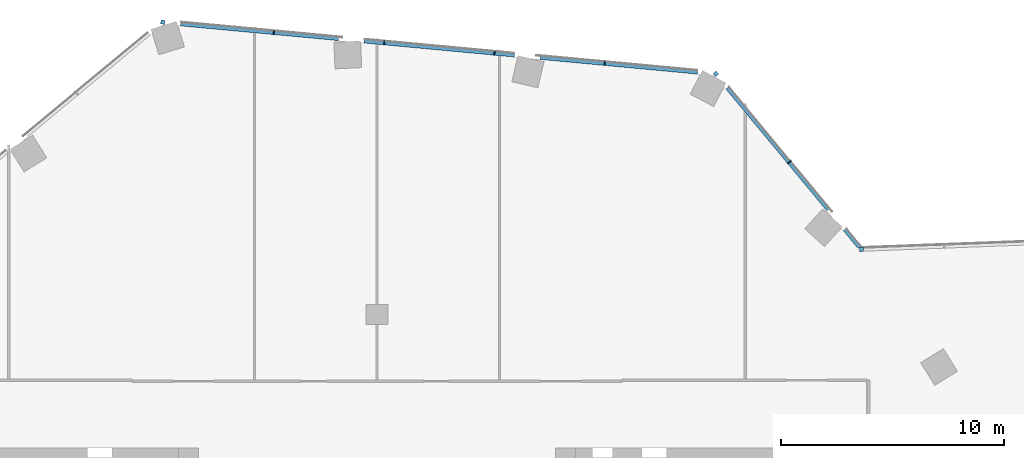
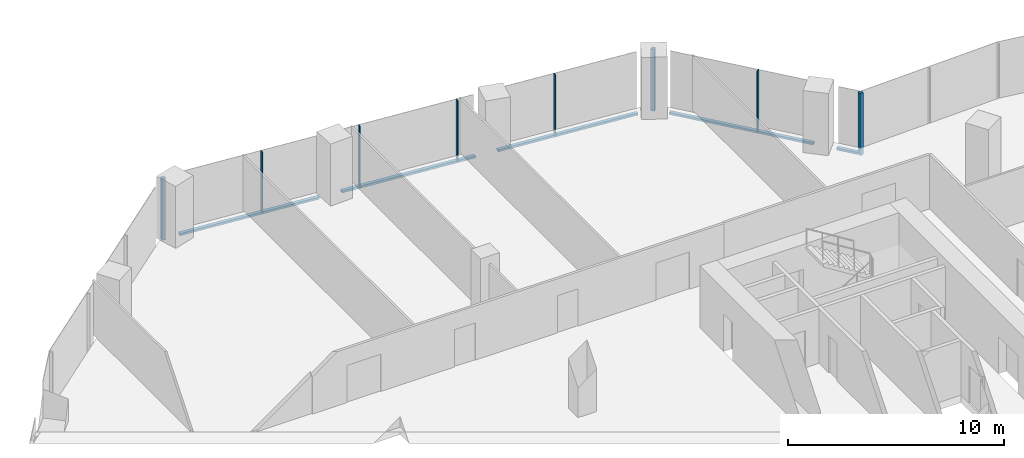
# One storey, part 11 of 24: 13 members, 3 elements without a shape of their own.
"""IFC4 building model written with IfcOpenShell, lengths in metres."""

import ifcopenshell
import ifcopenshell.guid

model = None  # the IFC model being written
_history = None  # IfcOwnerHistory: only IFC2X3 demands one
_inside = {}  # id of a spatial element -> (the spatial element, [elements in it])
_under = {}  # id of a project, library or spatial element -> (it, [spatial elements below it])
_declared = {}  # id of a project -> (the project, [libraries it declares])
_typed = {}  # id of a type object -> (the type object, [elements of that type])
_made_of = {}  # id of a material, layer set ... -> (it, [elements and type objects made of it])


def new_model(schema):
    """Start an empty IFC model of exactly this schema.

    Asked for "IFC4X3", IfcOpenShell would pick the latest addendum, in which some entities
    have other attributes; the version numbers below select the first issue.
    IFC2X3 requires an IfcOwnerHistory on every rooted entity: one is made here for all.
    """
    global model, _history
    if schema == "IFC4X3":
        model = ifcopenshell.file(schema_version=(4, 3, 0, 0))
    else:
        model = ifcopenshell.file(schema=schema)
    _inside.clear()
    _under.clear()
    _declared.clear()
    _typed.clear()
    _made_of.clear()
    _history = None
    if model.schema == "IFC2X3":
        org = make("IfcOrganization", Name="unknown")
        user = make(
            "IfcPersonAndOrganization",
            ThePerson=make("IfcPerson", FamilyName="unknown"),
            TheOrganization=org,
        )
        app = make(
            "IfcApplication",
            ApplicationDeveloper=org,
            Version="unknown",
            ApplicationFullName="unknown",
            ApplicationIdentifier="unknown",
        )
        _history = make(
            "IfcOwnerHistory",
            OwningUser=user,
            OwningApplication=app,
            ChangeAction="ADDED",
            CreationDate=0,
        )
    return model


def make(cls, **values):
    """One entity of the class cls with the attributes given. An attribute that is None is left unset."""
    return model.create_entity(
        cls, **{name: value for name, value in values.items() if value is not None}
    )


def rooted(cls, **values):
    """An entity with a GlobalId (a new one), such as an element, a storey or a relation."""
    return make(cls, GlobalId=ifcopenshell.guid.new(), OwnerHistory=_history, **values)


def si_unit(unit_type, name, prefix=None):
    """IfcSIUnit, for example si_unit("LENGTHUNIT", "METRE", prefix="MILLI")."""
    return make("IfcSIUnit", UnitType=unit_type, Prefix=prefix, Name=name)


def assignment(units):
    """IfcUnitAssignment: the units of a project."""
    return None if units is None else make("IfcUnitAssignment", Units=units)


def point(xyz):
    """IfcCartesianPoint."""
    return None if xyz is None else make("IfcCartesianPoint", Coordinates=xyz)


def direction(xyz):
    """IfcDirection."""
    return None if xyz is None else make("IfcDirection", DirectionRatios=xyz)


def frame(location, z_axis=None, x_axis=None):
    """IfcAxis2Placement3D, a coordinate frame: its origin and axes. An axis left out is left unset."""
    return make(
        "IfcAxis2Placement3D",
        Location=point(location),
        Axis=direction(z_axis),
        RefDirection=direction(x_axis),
    )


def frame_2d(location, x_axis=None):
    """IfcAxis2Placement2D, a coordinate frame in the plane: its origin and x axis."""
    return make(
        "IfcAxis2Placement2D", Location=point(location), RefDirection=direction(x_axis)
    )


def origin():
    """The frame at (0, 0, 0) with its axes left unset."""
    return frame((0.0, 0.0, 0.0))


def origin_2d():
    """The frame at (0, 0) in the plane with its x axis left unset."""
    return frame_2d((0.0, 0.0))


def place(relative_to, where):
    """IfcLocalPlacement: puts the frame where relative to a parent placement (None: the world)."""
    return make(
        "IfcLocalPlacement", PlacementRelTo=relative_to, RelativePlacement=where
    )


def context(
    kind, dimensions, precision=None, world=None, true_north=None, identifier=None
):
    """IfcGeometricRepresentationContext, for example the 3D "Model" context."""
    return make(
        "IfcGeometricRepresentationContext",
        ContextIdentifier=identifier,
        ContextType=kind,
        CoordinateSpaceDimension=dimensions,
        Precision=precision,
        WorldCoordinateSystem=world,
        TrueNorth=true_north,
    )


def subcontext(parent, identifier, kind, view, scale=None):
    """IfcGeometricRepresentationSubContext, for example "Body" below "Model"."""
    return make(
        "IfcGeometricRepresentationSubContext",
        ContextIdentifier=identifier,
        ContextType=kind,
        ParentContext=parent,
        TargetScale=scale,
        TargetView=view,
    )


def project(units=None, contexts=None):
    """IfcProject with its units and contexts."""
    return rooted(
        "IfcProject",
        Name="project",
        RepresentationContexts=contexts,
        UnitsInContext=assignment(units),
    )


def spatial(cls, under=None, at=None, **own):
    """A site, building, storey or space (cls), placed at a placement, below another one or the project."""
    s = rooted(cls, ObjectPlacement=at, **own)
    if under is not None:
        _under.setdefault(under.id(), (under, []))[1].append(s)
    return s


def profile(cls, at=None, kind="AREA", **sizes):
    """A parametric profile (cls). Its sizes go by their IFC names, for example OverallWidth=200.0."""
    return make(cls, ProfileType=kind, Position=at, **sizes)


def rectangle(**sizes):
    """IfcRectangleProfileDef."""
    return profile("IfcRectangleProfileDef", **sizes)


def extrude(swept, where, along, depth):
    """IfcExtrudedAreaSolid: the profile swept, set in the frame where, extruded along a direction by depth."""
    return make(
        "IfcExtrudedAreaSolid",
        SweptArea=swept,
        Position=where,
        ExtrudedDirection=direction(along),
        Depth=depth,
    )


def shape(context_of_items, identifier, shape_type, items):
    """IfcShapeRepresentation: the items that make up one representation, for example the "Body"."""
    return make(
        "IfcShapeRepresentation",
        ContextOfItems=context_of_items,
        RepresentationIdentifier=identifier,
        RepresentationType=shape_type,
        Items=items,
    )


def material(Name=None, Category=None):
    """IfcMaterial."""
    return make("IfcMaterial", Name=Name, Category=Category)


def material_profile(
    of_material, cross_section, Name=None, Category=None, Priority=None
):
    """IfcMaterialProfile: a cross section and its material."""
    return make(
        "IfcMaterialProfile",
        Name=Name,
        Material=of_material,
        Profile=cross_section,
        Priority=Priority,
        Category=Category,
    )


def profile_set(profiles, Name=None, composite=None):
    """IfcMaterialProfileSet."""
    return make(
        "IfcMaterialProfileSet",
        Name=Name,
        MaterialProfiles=profiles,
        CompositeProfile=composite,
    )


def made_of(thing, what):
    """Note that an element or type object is made of a material, layer set ...; save() writes the relation."""
    if what is not None:
        _made_of.setdefault(what.id(), (what, []))[1].append(thing)
    return thing


def type_object(cls, material=None, **own):
    """A type object (cls), such as IfcWallType, which elements share."""
    return made_of(rooted(cls, **own), material)


def element(
    cls,
    number,
    at=None,
    inside=None,
    cuts=None,
    type_object=None,
    material=None,
    context=None,
    identifier="Body",
    shape_type=None,
    held_by="IfcProductDefinitionShape",
    body=None,
    shapes=None,
    **own,
):
    """One element of the class cls, such as IfcWall. Its Tag is "e" and its number.

    at: its placement. inside: the storey or other place that contains it. cuts: it is an
    opening in that element (IfcRelVoidsElement). A single representation is given by context,
    identifier, shape_type and body (its items); several are given by shapes. held_by: the class
    of the entity that holds the representations. save() writes the other relations.
    """
    e = rooted(cls, Tag="e%d" % number, ObjectPlacement=at, **own)
    if body is not None:
        shapes = [shape(context, identifier, shape_type, body)]
    if shapes is not None:
        e.Representation = make(held_by, Representations=shapes)
    if inside is not None:
        _inside.setdefault(inside.id(), (inside, []))[1].append(e)
    if cuts is not None:
        rooted(
            "IfcRelVoidsElement", RelatingBuildingElement=cuts, RelatedOpeningElement=e
        )
    if type_object is not None:
        _typed.setdefault(type_object.id(), (type_object, []))[1].append(e)
    return made_of(e, material)


def aggregate(whole, parts):
    """IfcRelAggregates: a whole, such as a stair, and the parts it consists of."""
    return rooted("IfcRelAggregates", RelatingObject=whole, RelatedObjects=parts)


def save(model, path):
    """Write the relations noted so far, then the file.

    IfcRelAggregates (storeys below a building ...), IfcRelContainedInSpatialStructure (elements
    in a storey), IfcRelDefinesByType, IfcRelAssociatesMaterial and IfcRelDeclares: one each for
    every whole, place, type object, material and project.
    """
    for whole, parts in _under.values():
        aggregate(whole, parts)
    for where, things in _inside.values():
        rooted(
            "IfcRelContainedInSpatialStructure",
            RelatedElements=things,
            RelatingStructure=where,
        )
    for kind, things in _typed.values():
        rooted("IfcRelDefinesByType", RelatedObjects=things, RelatingType=kind)
    for what, things in _made_of.values():
        rooted("IfcRelAssociatesMaterial", RelatedObjects=things, RelatingMaterial=what)
    for by, libraries in _declared.values():
        rooted("IfcRelDeclares", RelatingContext=by, RelatedDefinitions=libraries)
    model.write(path)


model = new_model("IFC4")

# Units and contexts
model_context = context("Model", 3, precision=1e-05, world=origin(), true_north=direction((0.0, 1.0)))
body_context = subcontext(model_context, "Body", "Model", "MODEL_VIEW")
ifc_project = project(units=[si_unit("LENGTHUNIT", "METRE"), si_unit("AREAUNIT", "SQUARE_METRE"), si_unit("VOLUMEUNIT", "CUBIC_METRE"), si_unit("PLANEANGLEUNIT", "RADIAN"), si_unit("MASSUNIT", "GRAM", prefix="KILO")], contexts=[model_context])

# Site, building, storey
site_placement = place(None, origin())
site = spatial("IfcSite", under=ifc_project, at=site_placement, CompositionType="ELEMENT")
building_placement = place(site_placement, origin())
building = spatial("IfcBuilding", under=site, at=building_placement, Name="Orlundy Tower", CompositionType="ELEMENT")
storey_placement = place(building_placement, frame((0.0, 0.0, 177.60009765625)))
storey = spatial("IfcBuildingStorey", under=building, at=storey_placement, Name="L46", CompositionType="ELEMENT", Elevation=177.60009765625)

# Curtain wall, member
ifc_material_1 = material(Name="Aluminium bronze anodised", Category="aluminium")
curtain_wall_type = type_object("IfcCurtainWallType", Name="CW1 wall", PredefinedType="NOTDEFINED", material=ifc_material_1)
curtain_wall_1_placement = place(storey_placement, origin())
curtain_wall_1 = element("IfcCurtainWall", 1, at=curtain_wall_1_placement, inside=storey, type_object=curtain_wall_type, Name="CW1 run 04", PredefinedType="NOTDEFINED")
ifc_material_2 = material(Name="Aluminium bronze anodised", Category="aluminium")
ifc_material_profile_1 = material_profile(ifc_material_2, rectangle(XDim=0.179931640625, YDim=0.179931640625, at=origin_2d()), Name="CW1 corner post 180x180")
ifc_profile_set_1 = profile_set([ifc_material_profile_1], Name="Aluminium bronze anodised")
member_type_1 = type_object("IfcMemberType", Name="CW1 corner post 180x180", PredefinedType="MULLION", material=ifc_profile_set_1)
member_1_placement = place(storey_placement, frame((-9.61279296875, 31.1181640625, -0.420166015625), z_axis=(0.0, 0.0, 1.0), x_axis=(0.092948066811, 0.995670958136, 0.0)))
member_1 = element("IfcMember", 2, at=member_1_placement, type_object=member_type_1, Name="CW1 mullion 19", PredefinedType="MULLION", context=body_context, shape_type="SweptSolid", body=[
    extrude(rectangle(XDim=0.179931640625, YDim=0.179931640625, at=origin_2d()), origin(), (0.0, 0.0, 1.0), 3.5),
])

curtain_wall_2_placement = place(storey_placement, origin())
curtain_wall_2 = element("IfcCurtainWall", 3, at=curtain_wall_2_placement, inside=storey, type_object=curtain_wall_type, Name="CW1 run 05", PredefinedType="NOTDEFINED")
member_2_placement = place(storey_placement, frame((15.20654296875, 28.801025390625, -0.420166015625), z_axis=(0.0, 0.0, 1.0), x_axis=(0.769788399055, 0.638299162368, 0.0)))
member_2 = element("IfcMember", 4, at=member_2_placement, type_object=member_type_1, Name="CW1 mullion 24", PredefinedType="MULLION", context=body_context, shape_type="SweptSolid", body=[
    extrude(rectangle(XDim=0.179931640625, YDim=0.179931640625, at=origin_2d()), origin(), (0.0, 0.0, 1.0), 3.5),
])

curtain_wall_3_placement = place(storey_placement, origin())
curtain_wall_3 = element("IfcCurtainWall", 5, at=curtain_wall_3_placement, inside=storey, type_object=curtain_wall_type, Name="CW1 run 06", PredefinedType="NOTDEFINED")
member_3_placement = place(storey_placement, frame((21.73583984375, 20.926513671875, -0.420166015625), z_axis=(0.0, 0.0, 1.0), x_axis=(-0.037836578056, 0.99928394031, 0.0)))
member_3 = element("IfcMember", 6, at=member_3_placement, type_object=member_type_1, Name="CW1 mullion 26", PredefinedType="MULLION", context=body_context, shape_type="SweptSolid", body=[
    extrude(rectangle(XDim=0.179931640625, YDim=0.179931640625, at=origin_2d()), origin(), (0.0, 0.0, 1.0), 3.5),
])
aggregate(curtain_wall_3, [member_3])

# Member
ifc_material_3 = material(Name="Aluminium bronze anodised", Category="aluminium")
ifc_material_profile_2 = material_profile(ifc_material_3, rectangle(XDim=0.179931640625, YDim=0.050048828125, at=origin_2d()), Name="CW1 mullion 50x180")
ifc_profile_set_2 = profile_set([ifc_material_profile_2], Name="Aluminium bronze anodised")
member_type_2 = type_object("IfcMemberType", Name="CW1 mullion 50x180", PredefinedType="MULLION", material=ifc_profile_set_2)
member_4_placement = place(storey_placement, frame((-4.626708984375, 30.652587890625, -0.420166015625), z_axis=(0.0, 0.0, 1.0), x_axis=(0.092948066811, 0.995670958136, 0.0)))
member_4 = element("IfcMember", 7, at=member_4_placement, type_object=member_type_2, Name="CW1 mullion 20", PredefinedType="MULLION", context=body_context, shape_type="SweptSolid", body=[
    extrude(rectangle(XDim=0.179931640625, YDim=0.050048828125, at=origin_2d()), origin(), (0.0, 0.0, 1.0), 3.5),
])

member_5_placement = place(storey_placement, frame((0.322265625, 30.190673828125, -0.420166015625), z_axis=(0.0, 0.0, 1.0), x_axis=(0.092948066811, 0.995670958136, 0.0)))
member_5 = element("IfcMember", 8, at=member_5_placement, type_object=member_type_2, Name="CW1 mullion 21", PredefinedType="MULLION", context=body_context, shape_type="SweptSolid", body=[
    extrude(rectangle(XDim=0.179931640625, YDim=0.050048828125, at=origin_2d()), origin(), (0.0, 0.0, 1.0), 3.5),
])

member_6_placement = place(storey_placement, frame((5.271484375, 29.728515625, -0.420166015625), z_axis=(0.0, 0.0, 1.0), x_axis=(0.092948066811, 0.995670958136, 0.0)))
member_6 = element("IfcMember", 9, at=member_6_placement, type_object=member_type_2, Name="CW1 mullion 22", PredefinedType="MULLION", context=body_context, shape_type="SweptSolid", body=[
    extrude(rectangle(XDim=0.179931640625, YDim=0.050048828125, at=origin_2d()), origin(), (0.0, 0.0, 1.0), 3.5),
])

member_7_placement = place(storey_placement, frame((10.220458984375, 29.2666015625, -0.420166015625), z_axis=(0.0, 0.0, 1.0), x_axis=(0.092948066811, 0.995670958136, 0.0)))
member_7 = element("IfcMember", 10, at=member_7_placement, type_object=member_type_2, Name="CW1 mullion 23", PredefinedType="MULLION", context=body_context, shape_type="SweptSolid", body=[
    extrude(rectangle(XDim=0.179931640625, YDim=0.050048828125, at=origin_2d()), origin(), (0.0, 0.0, 1.0), 3.5),
])

member_8_placement = place(storey_placement, frame((18.497314453125, 24.83251953125, -0.420166015625), z_axis=(0.0, 0.0, 1.0), x_axis=(0.769788399055, 0.638299162368, 0.0)))
member_8 = element("IfcMember", 11, at=member_8_placement, type_object=member_type_2, Name="CW1 mullion 25", PredefinedType="MULLION", context=body_context, shape_type="SweptSolid", body=[
    extrude(rectangle(XDim=0.179931640625, YDim=0.050048828125, at=origin_2d()), origin(), (0.0, 0.0, 1.0), 3.5),
])

ifc_material_4 = material(Name="Aluminium bronze anodised", Category="aluminium")
ifc_material_profile_3 = material_profile(ifc_material_4, rectangle(XDim=0.179931640625, YDim=0.1201171875, at=origin_2d()), Name="CW1 transom 180x120")
ifc_profile_set_3 = profile_set([ifc_material_profile_3], Name="Aluminium bronze anodised")
member_type_3 = type_object("IfcMemberType", Name="CW1 transom 180x120", PredefinedType="USERDEFINED", material=ifc_profile_set_3)
member_9_placement = place(storey_placement, frame((-8.803955078125, 31.04248046875, -0.360107421875), z_axis=(0.99567116953, -0.092945802311, 0.0), x_axis=(0.092945802311, 0.99567116953, 0.0)))
member_9 = element("IfcMember", 12, at=member_9_placement, type_object=member_type_3, Name="CW1 transom", ObjectType="TRANSOM", PredefinedType="USERDEFINED", context=body_context, shape_type="SweptSolid", body=[
    extrude(rectangle(XDim=0.179931640625, YDim=0.1201171875, at=origin_2d()), origin(), (0.0, 0.0, 1.0), 7.105224609375),
])

member_10_placement = place(storey_placement, frame((-0.5859375, 30.275390625, -0.360107421875), z_axis=(0.995670257295, -0.092955574003, 0.0), x_axis=(0.092955574003, 0.995670257295, 0.0)))
member_10 = element("IfcMember", 13, at=member_10_placement, type_object=member_type_3, Name="CW1 transom", ObjectType="TRANSOM", PredefinedType="USERDEFINED", context=body_context, shape_type="SweptSolid", body=[
    extrude(rectangle(XDim=0.179931640625, YDim=0.1201171875, at=origin_2d()), origin(), (0.0, 0.0, 1.0), 6.79443359375),
])

member_11_placement = place(storey_placement, frame((7.31982421875, 29.537353515625, -0.360107421875), z_axis=(0.995672738099, -0.092928997665, 0.0), x_axis=(0.092928997665, 0.995672738099, 0.0)))
member_11 = element("IfcMember", 14, at=member_11_placement, type_object=member_type_3, Name="CW1 transom", ObjectType="TRANSOM", PredefinedType="USERDEFINED", context=body_context, shape_type="SweptSolid", body=[
    extrude(rectangle(XDim=0.179931640625, YDim=0.1201171875, at=origin_2d()), origin(), (0.0, 0.0, 1.0), 7.109130859375),
])

aggregate(curtain_wall_1, [member_1, member_4, member_5, member_6, member_7, member_9, member_10, member_11])

member_12_placement = place(storey_placement, frame((15.724609375, 28.17626953125, -0.360107421875), z_axis=(0.638307072863, -0.769781839701, 0.0), x_axis=(0.769781839701, 0.638307072863, 0.0)))
member_12 = element("IfcMember", 15, at=member_12_placement, type_object=member_type_3, Name="CW1 transom", ObjectType="TRANSOM", PredefinedType="USERDEFINED", context=body_context, shape_type="SweptSolid", body=[
    extrude(rectangle(XDim=0.179931640625, YDim=0.1201171875, at=origin_2d()), origin(), (0.0, 0.0, 1.0), 7.1064453125),
])

member_13_placement = place(storey_placement, frame((20.99365234375, 21.822021484375, -0.360107421875), z_axis=(0.638214854894, -0.769858297995, 0.0), x_axis=(0.769858297995, 0.638214854894, 0.0)))
member_13 = element("IfcMember", 16, at=member_13_placement, type_object=member_type_3, Name="CW1 transom", ObjectType="TRANSOM", PredefinedType="USERDEFINED", context=body_context, shape_type="SweptSolid", body=[
    extrude(rectangle(XDim=0.179931640625, YDim=0.1201171875, at=origin_2d()), origin(), (0.0, 0.0, 1.0), 1.049560546875),
])

aggregate(curtain_wall_2, [member_2, member_8, member_12, member_13])

save(model, "model.ifc")
